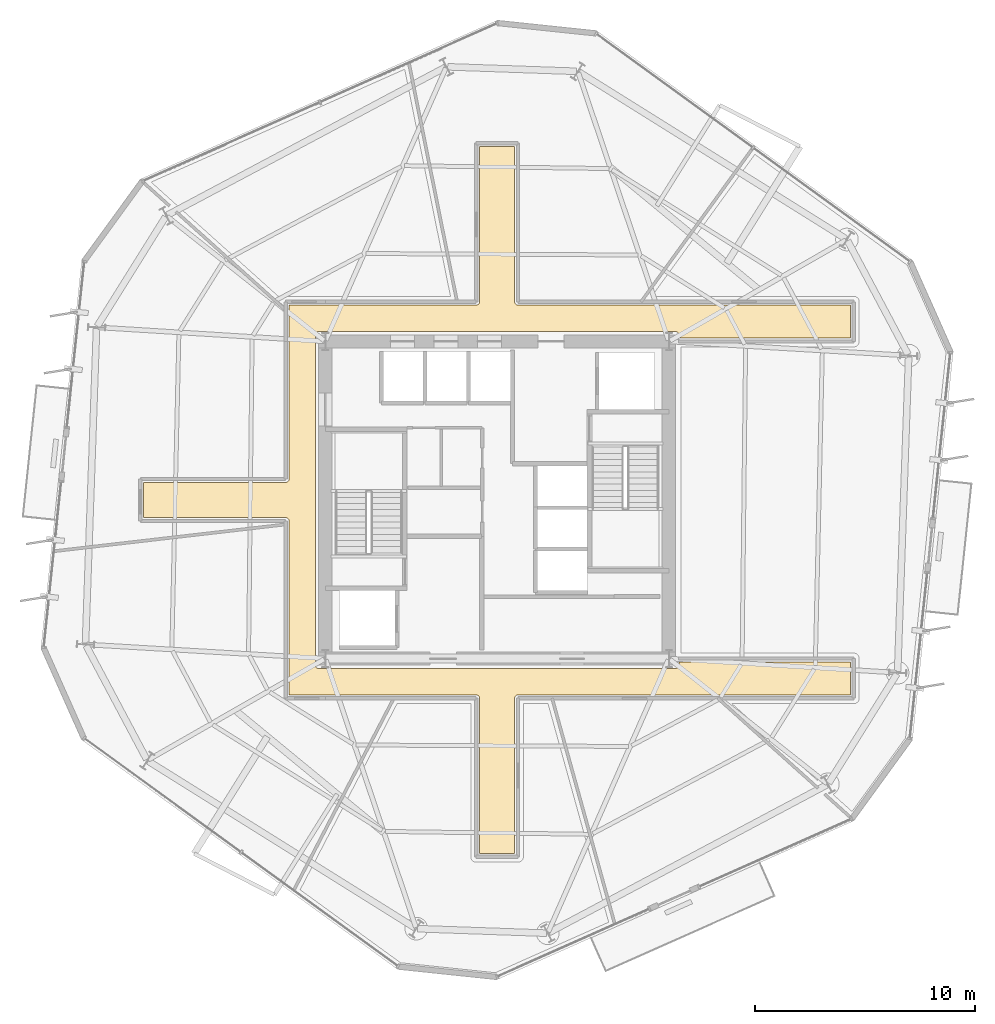
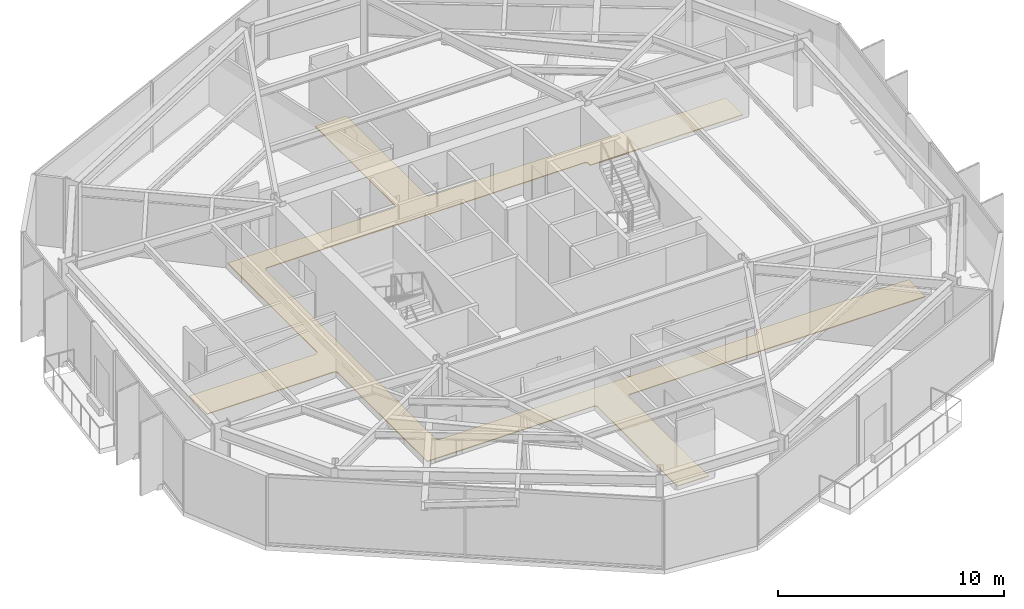
# One storey, part 11 of 13: 1 covering.
"""IFC4 building model written with IfcOpenShell, lengths in metres."""

from ifc_helpers import new_model, si_unit, direction, frame, origin, place, context, subcontext, project, spatial, polyline, outline, extrude, material, layer, layer_set, type_object, element, save


model = new_model("IFC4")

# Units and contexts
model_context = context("Model", 3, precision=1e-05, world=origin(), true_north=direction((0.0, 1.0)))
body_context = subcontext(model_context, "Body", "Model", "MODEL_VIEW")
ifc_project = project(units=[si_unit("LENGTHUNIT", "METRE"), si_unit("AREAUNIT", "SQUARE_METRE"), si_unit("VOLUMEUNIT", "CUBIC_METRE"), si_unit("PLANEANGLEUNIT", "RADIAN"), si_unit("MASSUNIT", "GRAM", prefix="KILO")], contexts=[model_context])

# Site, building, storey
site_placement = place(None, origin())
site = spatial("IfcSite", under=ifc_project, at=site_placement, CompositionType="ELEMENT")
building_placement = place(site_placement, origin())
building = spatial("IfcBuilding", under=site, at=building_placement, Name="Kranzbogen Civic Tower", CompositionType="ELEMENT")
storey_placement = place(building_placement, frame((0.0, 0.0, 118.39990234375)))
storey = spatial("IfcBuildingStorey", under=building, at=storey_placement, Name="L28", CompositionType="ELEMENT", Elevation=118.39990234375)

# Covering
ifc_material = material(Name="Honed Natural Stone Flooring", Category="masonry")
ifc_layer = layer(ifc_material, 0.0400390625, Name="Honed Natural Stone Flooring")
ifc_layer_set = layer_set([ifc_layer], Name="Honed Natural Stone Flooring")
covering_type = type_object("IfcCoveringType", Name="Honed Limestone Lobby Flooring 40 mm", PredefinedType="FLOORING", material=ifc_layer_set)
covering_placement = place(storey_placement, origin())
element("IfcCovering", 1, at=covering_placement, inside=storey, type_object=covering_type, Name="L28 concourse stone flooring 1", PredefinedType="FLOORING", context=body_context, shape_type="SweptSolid", body=[
    extrude(outline(polyline([(15.550048828125, 16.14990234375), (15.550048828125, 24.050048828125), (15.549072265625, 24.06494140625), (15.547119140625, 24.0791015625), (15.5439453125, 24.093994140625), (15.5390625, 24.10693359375), (15.531982421875, 24.12109375), (15.52490234375, 24.133056640625), (15.51611328125, 24.14501953125), (15.506103515625, 24.156005859375), (15.4951171875, 24.166015625), (15.48291015625, 24.175048828125), (15.470947265625, 24.181884765625), (15.45703125, 24.18896484375), (15.444091796875, 24.194091796875), (15.428955078125, 24.197021484375), (15.4150390625, 24.198974609375), (15.39990234375, 24.199951171875), (8.949951171875, 24.199951171875), (8.949951171875, 25.800048828125), (15.39990234375, 25.800048828125), (15.4150390625, 25.801025390625), (15.428955078125, 25.802978515625), (15.444091796875, 25.805908203125), (15.45703125, 25.81103515625), (15.470947265625, 25.818115234375), (15.48291015625, 25.824951171875), (15.4951171875, 25.833984375), (15.506103515625, 25.843994140625), (15.51611328125, 25.85498046875), (15.52490234375, 25.866943359375), (15.531982421875, 25.87890625), (15.5390625, 25.89306640625), (15.5439453125, 25.906005859375), (15.547119140625, 25.9208984375), (15.549072265625, 25.93505859375), (15.550048828125, 25.949951171875), (15.550048828125, 33.85009765625), (24.050048828125, 33.85009765625), (24.06494140625, 33.85107421875), (24.0791015625, 33.85302734375), (24.093994140625, 33.85595703125), (24.10693359375, 33.861083984375), (24.12109375, 33.867919921875), (24.133056640625, 33.875), (24.14501953125, 33.884033203125), (24.156005859375, 33.89404296875), (24.166015625, 33.905029296875), (24.175048828125, 33.9169921875), (24.181884765625, 33.928955078125), (24.18896484375, 33.943115234375), (24.194091796875, 33.9560546875), (24.197021484375, 33.970947265625), (24.198974609375, 33.985107421875), (24.199951171875, 34.0), (24.199951171875, 41.050048828125), (25.800048828125, 41.050048828125), (25.800048828125, 34.0), (25.801025390625, 33.985107421875), (25.802978515625, 33.970947265625), (25.805908203125, 33.9560546875), (25.81103515625, 33.943115234375), (25.818115234375, 33.928955078125), (25.824951171875, 33.9169921875), (25.833984375, 33.905029296875), (25.843994140625, 33.89404296875), (25.85498046875, 33.884033203125), (25.866943359375, 33.875), (25.87890625, 33.867919921875), (25.89306640625, 33.861083984375), (25.906005859375, 33.85595703125), (25.9208984375, 33.85302734375), (25.93505859375, 33.85107421875), (25.949951171875, 33.85009765625), (41.050048828125, 33.85009765625), (41.050048828125, 32.35009765625), (33.25, 32.35009765625), (33.25, 32.5), (33.2490234375, 32.514892578125), (33.2470703125, 32.529052734375), (33.243896484375, 32.5439453125), (33.239013671875, 32.556884765625), (33.23193359375, 32.571044921875), (33.22509765625, 32.5830078125), (33.216064453125, 32.594970703125), (33.2060546875, 32.60595703125), (33.195068359375, 32.615966796875), (33.18310546875, 32.625), (33.1708984375, 32.632080078125), (33.156982421875, 32.638916015625), (33.14404296875, 32.64404296875), (33.12890625, 32.64697265625), (33.114990234375, 32.64892578125), (33.10009765625, 32.64990234375), (16.89990234375, 32.64990234375), (16.885009765625, 32.64892578125), (16.87109375, 32.64697265625), (16.85595703125, 32.64404296875), (16.843017578125, 32.638916015625), (16.8291015625, 32.632080078125), (16.81689453125, 32.625), (16.804931640625, 32.615966796875), (16.7939453125, 32.60595703125), (16.783935546875, 32.594970703125), (16.77490234375, 32.5830078125), (16.76806640625, 32.571044921875), (16.760986328125, 32.556884765625), (16.756103515625, 32.5439453125), (16.7529296875, 32.529052734375), (16.7509765625, 32.514892578125), (16.75, 32.5), (16.75, 17.5), (16.7509765625, 17.485107421875), (16.7529296875, 17.470947265625), (16.756103515625, 17.4560546875), (16.760986328125, 17.443115234375), (16.76806640625, 17.428955078125), (16.77490234375, 17.4169921875), (16.783935546875, 17.405029296875), (16.7939453125, 17.39404296875), (16.804931640625, 17.384033203125), (16.81689453125, 17.375), (16.8291015625, 17.367919921875), (16.843017578125, 17.361083984375), (16.85595703125, 17.35595703125), (16.87109375, 17.35302734375), (16.885009765625, 17.35107421875), (16.89990234375, 17.35009765625), (33.10009765625, 17.35009765625), (33.114990234375, 17.35107421875), (33.12890625, 17.35302734375), (33.14404296875, 17.35595703125), (33.156982421875, 17.361083984375), (33.1708984375, 17.367919921875), (33.18310546875, 17.375), (33.195068359375, 17.384033203125), (33.2060546875, 17.39404296875), (33.216064453125, 17.405029296875), (33.22509765625, 17.4169921875), (33.23193359375, 17.428955078125), (33.239013671875, 17.443115234375), (33.243896484375, 17.4560546875), (33.2470703125, 17.470947265625), (33.2490234375, 17.485107421875), (33.25, 17.5), (33.25, 17.64990234375), (41.050048828125, 17.64990234375), (41.050048828125, 16.14990234375), (25.949951171875, 16.14990234375), (25.93505859375, 16.14892578125), (25.9208984375, 16.14697265625), (25.906005859375, 16.14404296875), (25.89306640625, 16.138916015625), (25.87890625, 16.132080078125), (25.866943359375, 16.125), (25.85498046875, 16.115966796875), (25.843994140625, 16.10595703125), (25.833984375, 16.094970703125), (25.824951171875, 16.0830078125), (25.818115234375, 16.071044921875), (25.81103515625, 16.056884765625), (25.805908203125, 16.0439453125), (25.802978515625, 16.029052734375), (25.801025390625, 16.014892578125), (25.800048828125, 16.0), (25.800048828125, 8.949951171875), (24.199951171875, 8.949951171875), (24.199951171875, 16.0), (24.198974609375, 16.014892578125), (24.197021484375, 16.029052734375), (24.194091796875, 16.0439453125), (24.18896484375, 16.056884765625), (24.181884765625, 16.071044921875), (24.175048828125, 16.0830078125), (24.166015625, 16.094970703125), (24.156005859375, 16.10595703125), (24.14501953125, 16.115966796875), (24.133056640625, 16.125), (24.12109375, 16.132080078125), (24.10693359375, 16.138916015625), (24.093994140625, 16.14404296875), (24.0791015625, 16.14697265625), (24.06494140625, 16.14892578125), (24.050048828125, 16.14990234375), (15.550048828125, 16.14990234375)])), origin(), (0.0, 0.0, 1.0), 0.0400390625),
])

save(model, "model.ifc")
